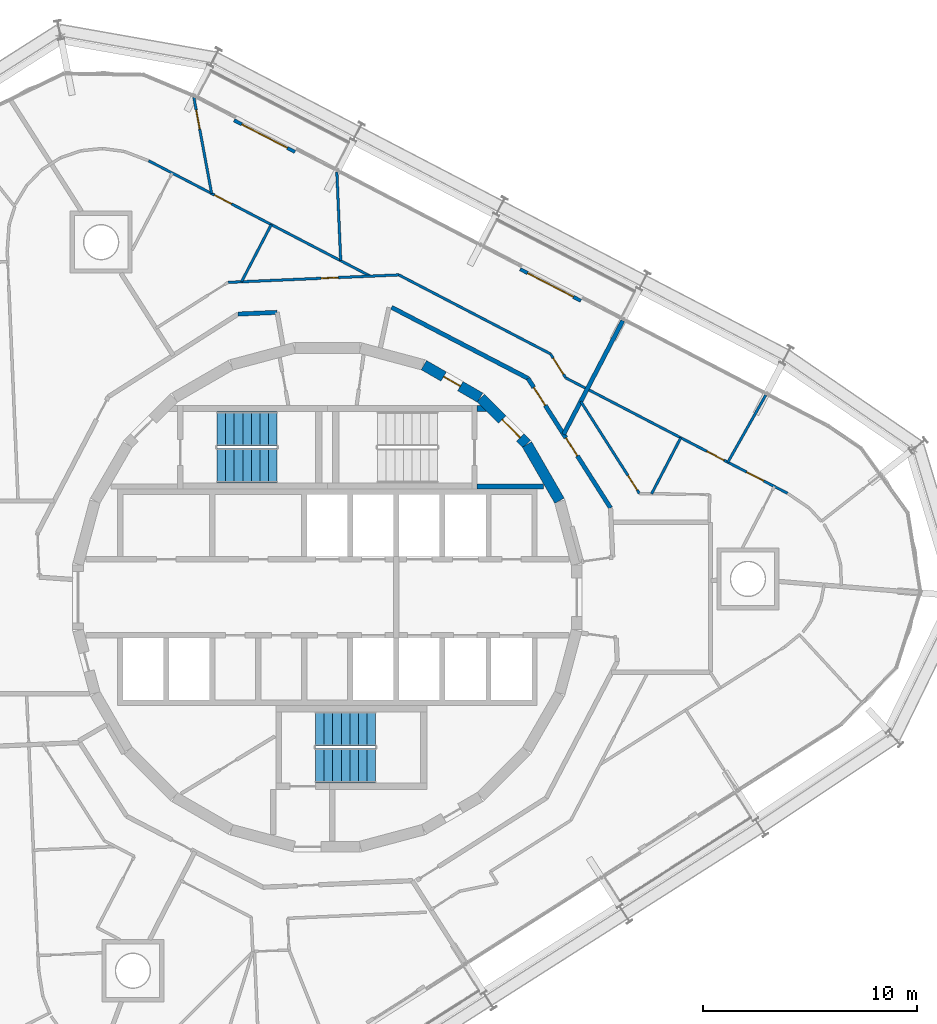
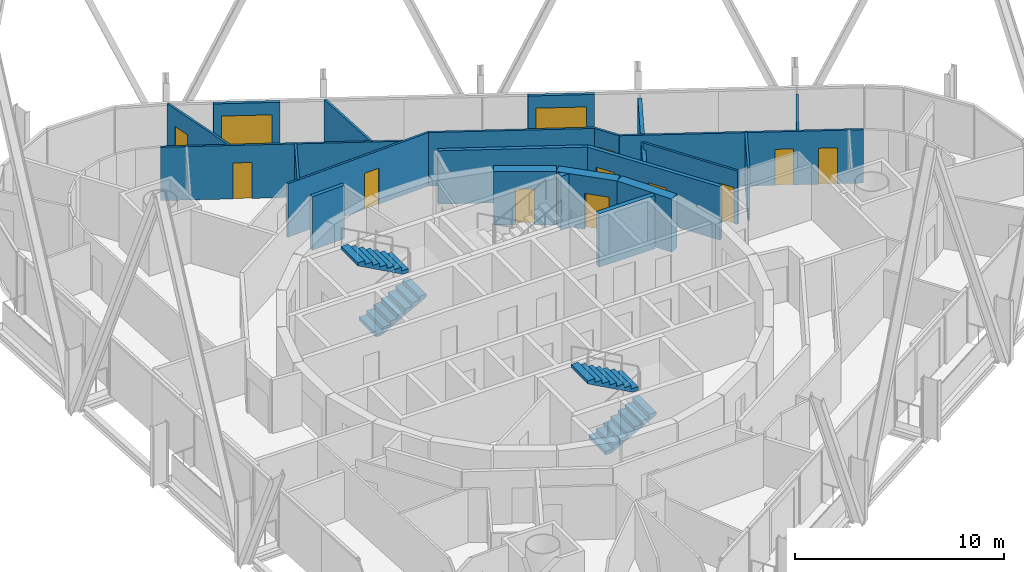
# One storey, part 16 of 18: 22 walls, 13 doors, 4 stair flights, 13 openings, 2 elements without a shape of their own.
"""IFC4 building model written with IfcOpenShell, lengths in metres."""

import ifcopenshell
import ifcopenshell.guid

model = None  # the IFC model being written
_history = None  # IfcOwnerHistory: only IFC2X3 demands one
_inside = {}  # id of a spatial element -> (the spatial element, [elements in it])
_under = {}  # id of a project, library or spatial element -> (it, [spatial elements below it])
_declared = {}  # id of a project -> (the project, [libraries it declares])
_typed = {}  # id of a type object -> (the type object, [elements of that type])
_made_of = {}  # id of a material, layer set ... -> (it, [elements and type objects made of it])


def new_model(schema):
    """Start an empty IFC model of exactly this schema.

    Asked for "IFC4X3", IfcOpenShell would pick the latest addendum, in which some entities
    have other attributes; the version numbers below select the first issue.
    IFC2X3 requires an IfcOwnerHistory on every rooted entity: one is made here for all.
    """
    global model, _history
    if schema == "IFC4X3":
        model = ifcopenshell.file(schema_version=(4, 3, 0, 0))
    else:
        model = ifcopenshell.file(schema=schema)
    _inside.clear()
    _under.clear()
    _declared.clear()
    _typed.clear()
    _made_of.clear()
    _history = None
    if model.schema == "IFC2X3":
        org = make("IfcOrganization", Name="unknown")
        user = make(
            "IfcPersonAndOrganization",
            ThePerson=make("IfcPerson", FamilyName="unknown"),
            TheOrganization=org,
        )
        app = make(
            "IfcApplication",
            ApplicationDeveloper=org,
            Version="unknown",
            ApplicationFullName="unknown",
            ApplicationIdentifier="unknown",
        )
        _history = make(
            "IfcOwnerHistory",
            OwningUser=user,
            OwningApplication=app,
            ChangeAction="ADDED",
            CreationDate=0,
        )
    return model


def make(cls, **values):
    """One entity of the class cls with the attributes given. An attribute that is None is left unset."""
    return model.create_entity(
        cls, **{name: value for name, value in values.items() if value is not None}
    )


def rooted(cls, **values):
    """An entity with a GlobalId (a new one), such as an element, a storey or a relation."""
    return make(cls, GlobalId=ifcopenshell.guid.new(), OwnerHistory=_history, **values)


def si_unit(unit_type, name, prefix=None):
    """IfcSIUnit, for example si_unit("LENGTHUNIT", "METRE", prefix="MILLI")."""
    return make("IfcSIUnit", UnitType=unit_type, Prefix=prefix, Name=name)


def assignment(units):
    """IfcUnitAssignment: the units of a project."""
    return None if units is None else make("IfcUnitAssignment", Units=units)


def point(xyz):
    """IfcCartesianPoint."""
    return None if xyz is None else make("IfcCartesianPoint", Coordinates=xyz)


def direction(xyz):
    """IfcDirection."""
    return None if xyz is None else make("IfcDirection", DirectionRatios=xyz)


def frame(location, z_axis=None, x_axis=None):
    """IfcAxis2Placement3D, a coordinate frame: its origin and axes. An axis left out is left unset."""
    return make(
        "IfcAxis2Placement3D",
        Location=point(location),
        Axis=direction(z_axis),
        RefDirection=direction(x_axis),
    )


def frame_2d(location, x_axis=None):
    """IfcAxis2Placement2D, a coordinate frame in the plane: its origin and x axis."""
    return make(
        "IfcAxis2Placement2D", Location=point(location), RefDirection=direction(x_axis)
    )


def origin():
    """The frame at (0, 0, 0) with its axes left unset."""
    return frame((0.0, 0.0, 0.0))


def place(relative_to, where):
    """IfcLocalPlacement: puts the frame where relative to a parent placement (None: the world)."""
    return make(
        "IfcLocalPlacement", PlacementRelTo=relative_to, RelativePlacement=where
    )


def context(
    kind, dimensions, precision=None, world=None, true_north=None, identifier=None
):
    """IfcGeometricRepresentationContext, for example the 3D "Model" context."""
    return make(
        "IfcGeometricRepresentationContext",
        ContextIdentifier=identifier,
        ContextType=kind,
        CoordinateSpaceDimension=dimensions,
        Precision=precision,
        WorldCoordinateSystem=world,
        TrueNorth=true_north,
    )


def subcontext(parent, identifier, kind, view, scale=None):
    """IfcGeometricRepresentationSubContext, for example "Body" below "Model"."""
    return make(
        "IfcGeometricRepresentationSubContext",
        ContextIdentifier=identifier,
        ContextType=kind,
        ParentContext=parent,
        TargetScale=scale,
        TargetView=view,
    )


def project(units=None, contexts=None):
    """IfcProject with its units and contexts."""
    return rooted(
        "IfcProject",
        Name="project",
        RepresentationContexts=contexts,
        UnitsInContext=assignment(units),
    )


def spatial(cls, under=None, at=None, **own):
    """A site, building, storey or space (cls), placed at a placement, below another one or the project."""
    s = rooted(cls, ObjectPlacement=at, **own)
    if under is not None:
        _under.setdefault(under.id(), (under, []))[1].append(s)
    return s


def polyline(points):
    """IfcPolyline through the points."""
    return make("IfcPolyline", Points=[point(p) for p in points])


def profile(cls, at=None, kind="AREA", **sizes):
    """A parametric profile (cls). Its sizes go by their IFC names, for example OverallWidth=200.0."""
    return make(cls, ProfileType=kind, Position=at, **sizes)


def rectangle(**sizes):
    """IfcRectangleProfileDef."""
    return profile("IfcRectangleProfileDef", **sizes)


def outline(outer, holes=None, kind="AREA"):
    """IfcArbitraryClosedProfileDef: a profile drawn as a closed curve; with holes, ...WithVoids."""
    if holes is None:
        return make("IfcArbitraryClosedProfileDef", ProfileType=kind, OuterCurve=outer)
    return make(
        "IfcArbitraryProfileDefWithVoids",
        ProfileType=kind,
        OuterCurve=outer,
        InnerCurves=holes,
    )


def extrude(swept, where, along, depth):
    """IfcExtrudedAreaSolid: the profile swept, set in the frame where, extruded along a direction by depth."""
    return make(
        "IfcExtrudedAreaSolid",
        SweptArea=swept,
        Position=where,
        ExtrudedDirection=direction(along),
        Depth=depth,
    )


def shape(context_of_items, identifier, shape_type, items):
    """IfcShapeRepresentation: the items that make up one representation, for example the "Body"."""
    return make(
        "IfcShapeRepresentation",
        ContextOfItems=context_of_items,
        RepresentationIdentifier=identifier,
        RepresentationType=shape_type,
        Items=items,
    )


def material(Name=None, Category=None):
    """IfcMaterial."""
    return make("IfcMaterial", Name=Name, Category=Category)


def layer(
    of_material, thickness, ventilated=None, Name=None, Category=None, Priority=None
):
    """IfcMaterialLayer: one layer of a wall or slab, of a material (None: an air gap)."""
    return make(
        "IfcMaterialLayer",
        Material=of_material,
        LayerThickness=thickness,
        IsVentilated=ventilated,
        Name=Name,
        Category=Category,
        Priority=Priority,
    )


def layer_set(layers, Name=None):
    """IfcMaterialLayerSet."""
    return make("IfcMaterialLayerSet", MaterialLayers=layers, LayerSetName=Name)


def made_of(thing, what):
    """Note that an element or type object is made of a material, layer set ...; save() writes the relation."""
    if what is not None:
        _made_of.setdefault(what.id(), (what, []))[1].append(thing)
    return thing


def type_object(cls, material=None, **own):
    """A type object (cls), such as IfcWallType, which elements share."""
    return made_of(rooted(cls, **own), material)


def element(
    cls,
    number,
    at=None,
    inside=None,
    cuts=None,
    type_object=None,
    material=None,
    context=None,
    identifier="Body",
    shape_type=None,
    held_by="IfcProductDefinitionShape",
    body=None,
    shapes=None,
    **own,
):
    """One element of the class cls, such as IfcWall. Its Tag is "e" and its number.

    at: its placement. inside: the storey or other place that contains it. cuts: it is an
    opening in that element (IfcRelVoidsElement). A single representation is given by context,
    identifier, shape_type and body (its items); several are given by shapes. held_by: the class
    of the entity that holds the representations. save() writes the other relations.
    """
    e = rooted(cls, Tag="e%d" % number, ObjectPlacement=at, **own)
    if body is not None:
        shapes = [shape(context, identifier, shape_type, body)]
    if shapes is not None:
        e.Representation = make(held_by, Representations=shapes)
    if inside is not None:
        _inside.setdefault(inside.id(), (inside, []))[1].append(e)
    if cuts is not None:
        rooted(
            "IfcRelVoidsElement", RelatingBuildingElement=cuts, RelatedOpeningElement=e
        )
    if type_object is not None:
        _typed.setdefault(type_object.id(), (type_object, []))[1].append(e)
    return made_of(e, material)


def fill(opening, filler):
    """IfcRelFillsElement: the door or window that sits in an opening."""
    return rooted(
        "IfcRelFillsElement",
        RelatingOpeningElement=opening,
        RelatedBuildingElement=filler,
    )


def aggregate(whole, parts):
    """IfcRelAggregates: a whole, such as a stair, and the parts it consists of."""
    return rooted("IfcRelAggregates", RelatingObject=whole, RelatedObjects=parts)


def save(model, path):
    """Write the relations noted so far, then the file.

    IfcRelAggregates (storeys below a building ...), IfcRelContainedInSpatialStructure (elements
    in a storey), IfcRelDefinesByType, IfcRelAssociatesMaterial and IfcRelDeclares: one each for
    every whole, place, type object, material and project.
    """
    for whole, parts in _under.values():
        aggregate(whole, parts)
    for where, things in _inside.values():
        rooted(
            "IfcRelContainedInSpatialStructure",
            RelatedElements=things,
            RelatingStructure=where,
        )
    for kind, things in _typed.values():
        rooted("IfcRelDefinesByType", RelatedObjects=things, RelatingType=kind)
    for what, things in _made_of.values():
        rooted("IfcRelAssociatesMaterial", RelatedObjects=things, RelatingMaterial=what)
    for by, libraries in _declared.values():
        rooted("IfcRelDeclares", RelatingContext=by, RelatedDefinitions=libraries)
    model.write(path)


model = new_model("IFC4")

# Units and contexts
model_context = context("Model", 3, precision=1e-05, world=origin(), true_north=direction((0.0, 1.0)))
body_context = subcontext(model_context, "Body", "Model", "MODEL_VIEW")
ifc_project = project(units=[si_unit("LENGTHUNIT", "METRE"), si_unit("AREAUNIT", "SQUARE_METRE"), si_unit("VOLUMEUNIT", "CUBIC_METRE"), si_unit("PLANEANGLEUNIT", "RADIAN"), si_unit("MASSUNIT", "GRAM", prefix="KILO")], contexts=[model_context])

# Site, building, storey
site_placement = place(None, origin())
site = spatial("IfcSite", under=ifc_project, at=site_placement, CompositionType="ELEMENT")
building_placement = place(site_placement, origin())
building = spatial("IfcBuilding", under=site, at=building_placement, Name="Spindle Arch Residences", CompositionType="ELEMENT")
storey_placement = place(building_placement, frame((0.0, 0.0, 240.699951171875)))
storey = spatial("IfcBuildingStorey", under=building, at=storey_placement, Name="L61", CompositionType="ELEMENT", Elevation=240.699951171875)

# Wall
ifc_material_1 = material(Name="Concrete C50/60", Category="concrete")
ifc_layer_1 = layer(ifc_material_1, 0.5)
ifc_layer_set_1 = layer_set([ifc_layer_1], Name="Core outline wall 500")
wall_type_1 = type_object("IfcWallType", Name="Core outline wall 500", PredefinedType="SHEAR", material=ifc_layer_set_1)
wall_1_placement = place(storey_placement, frame((10.84521484375, 4.510498046875, 0.0), z_axis=(0.0, 0.0, 1.0), x_axis=(-0.500087131594, 0.865975092491, 0.0)))
element("IfcWall", 1, at=wall_1_placement, inside=storey, type_object=wall_type_1, Name="Core outline wall 8", PredefinedType="SHEAR", context=body_context, shape_type="SweptSolid", body=[
    extrude(rectangle(XDim=3.03271484375, YDim=0.5, at=frame_2d((1.516357421875, 0.0))), origin(), (0.0, 0.0, 1.0), 3.1201171875),
])

# Wall, opening, door
wall_2_placement = place(storey_placement, frame((9.30810546875, 7.163818359375, 0.0), z_axis=(0.0, 0.0, 1.0), x_axis=(-0.707106781187, 0.707106781187, 0.0)))
wall_2 = element("IfcWall", 2, at=wall_2_placement, inside=storey, type_object=wall_type_1, Name="Core outline wall 9", PredefinedType="SHEAR", context=body_context, shape_type="SweptSolid", body=[
    extrude(rectangle(XDim=3.032470703125, YDim=0.5, at=frame_2d((1.51611328125, 0.0))), origin(), (0.0, 0.0, 1.0), 3.1201171875),
])
opening_1_placement = place(wall_2_placement, frame((0.416259765625, 0.0, 0.0)))
opening_1 = element("IfcOpeningElement", 3, at=opening_1_placement, cuts=wall_2, Name="Opening R6B0-AD01", PredefinedType="OPENING", context=body_context, shape_type="SweptSolid", body=[
    extrude(rectangle(XDim=1.199951171875, YDim=2.10009765625, at=frame_2d((0.60009765625, 1.050048828125))), frame((0.0, 0.260009765625, 0.0), z_axis=(0.0, -1.0, 0.0), x_axis=(1.0, 0.0, 0.0)), (0.0, 0.0, 1.0), 0.52001953125),
])
ifc_material_2 = material(Name="Steel, fire-resisting door", Category="steel")
door_type_1 = type_object("IfcDoorType", Name="Stair airlock door 1200x2100", OperationType="SINGLE_SWING_LEFT", PredefinedType="DOOR", material=ifc_material_2)
door_1_placement = place(opening_1_placement, origin())
door_1 = element("IfcDoor", 4, at=door_1_placement, inside=storey, type_object=door_type_1, Name="Stair airlock door R6B0-AD01", OperationType="SINGLE_SWING_RIGHT", OverallHeight=2.10009765625, OverallWidth=1.199951171875, PredefinedType="DOOR", context=body_context, shape_type="SweptSolid", body=[
    extrude(rectangle(XDim=1.199951171875, YDim=2.10009765625, at=frame_2d((0.60009765625, 1.050048828125))), frame((0.0, 0.02490234375, 0.0), z_axis=(0.0, -1.0, 0.0), x_axis=(1.0, 0.0, 0.0)), (0.0, 0.0, 1.0), 0.050048828125),
])
fill(opening_1, door_1)

wall_3_placement = place(storey_placement, frame((7.13671875, 9.32861328125, 0.0), z_axis=(0.0, 0.0, 1.0), x_axis=(-0.865975092491, 0.500087131594, 0.0)))
wall_3 = element("IfcWall", 5, at=wall_3_placement, inside=storey, type_object=wall_type_1, Name="Core outline wall 10", PredefinedType="SHEAR", context=body_context, shape_type="SweptSolid", body=[
    extrude(rectangle(XDim=3.03271484375, YDim=0.5, at=frame_2d((1.516357421875, 0.0))), origin(), (0.0, 0.0, 1.0), 3.1201171875),
])
opening_2_placement = place(wall_3_placement, frame((1.06640625, 0.0, 0.0)))
opening_2 = element("IfcOpeningElement", 6, at=opening_2_placement, cuts=wall_3, Name="Opening R6B0-WD12", PredefinedType="OPENING", context=body_context, shape_type="SweptSolid", body=[
    extrude(rectangle(XDim=0.89990234375, YDim=2.10009765625, at=frame_2d((0.449951171875, 1.050048828125))), frame((0.0, 0.260009765625, 0.0), z_axis=(0.0, -1.0, 0.0), x_axis=(1.0, 0.0, 0.0)), (0.0, 0.0, 1.0), 0.52001953125),
])
ifc_material_3 = material(Name="Steel, fire-resisting door", Category="steel")
door_type_2 = type_object("IfcDoorType", Name="Service room door 900x2100", OperationType="SINGLE_SWING_LEFT", PredefinedType="DOOR", material=ifc_material_3)
door_2_placement = place(opening_2_placement, origin())
door_2 = element("IfcDoor", 7, at=door_2_placement, inside=storey, type_object=door_type_2, Name="Service room door R6B0-WD12", OperationType="SINGLE_SWING_RIGHT", OverallHeight=2.10009765625, OverallWidth=0.89990234375, PredefinedType="DOOR", context=body_context, shape_type="SweptSolid", body=[
    extrude(rectangle(XDim=0.89990234375, YDim=2.10009765625, at=frame_2d((0.449951171875, 1.050048828125))), frame((0.0, 0.02490234375, 0.0), z_axis=(0.0, -1.0, 0.0), x_axis=(1.0, 0.0, 0.0)), (0.0, 0.0, 1.0), 0.050048828125),
])
fill(opening_2, door_2)

# Wall, openings, doors
ifc_material_4 = material(Name="Calcium silicate block, plastered")
ifc_layer_2 = layer(ifc_material_4, 0.199951171875)
ifc_layer_set_2 = layer_set([ifc_layer_2], Name="Corridor wall 200")
wall_type_2 = type_object("IfcWallType", Name="Corridor wall 200", PredefinedType="STANDARD", material=ifc_layer_set_2)
wall_4_placement = place(storey_placement, frame((13.230712890625, 4.171630859375, 0.0), z_axis=(0.0, 0.0, 1.0), x_axis=(-0.537304397561, 0.843388394728, 0.0)))
wall_4 = element("IfcWall", 8, at=wall_4_placement, inside=storey, type_object=wall_type_2, Name="Corridor wall R6B0-W004", PredefinedType="STANDARD", context=body_context, shape_type="SweptSolid", body=[
    extrude(rectangle(XDim=7.180908203125, YDim=0.199951171875, at=frame_2d((3.59033203125, 0.0))), origin(), (0.0, 0.0, 1.0), 3.1201171875),
])
opening_3_placement = place(wall_4_placement, frame((2.881103515625, 0.0, 0.0)))
opening_3 = element("IfcOpeningElement", 9, at=opening_3_placement, cuts=wall_4, Name="Opening R6B0-FD01", PredefinedType="OPENING", context=body_context, shape_type="SweptSolid", body=[
    extrude(rectangle(XDim=1.0, YDim=2.10009765625, at=frame_2d((0.5, 1.050048828125))), frame((0.0, 0.10986328125, 0.0), z_axis=(0.0, -1.0, 0.0), x_axis=(1.0, 0.0, 0.0)), (0.0, 0.0, 1.0), 0.219970703125),
])
opening_4_placement = place(wall_4_placement, frame((5.68115234375, 0.0, 0.0)))
opening_4 = element("IfcOpeningElement", 10, at=opening_4_placement, cuts=wall_4, Name="Opening R6B0-FD02", PredefinedType="OPENING", context=body_context, shape_type="SweptSolid", body=[
    extrude(rectangle(XDim=1.0, YDim=2.10009765625, at=frame_2d((0.5, 1.050048828125))), frame((0.0, 0.10986328125, 0.0), z_axis=(0.0, -1.0, 0.0), x_axis=(1.0, 0.0, 0.0)), (0.0, 0.0, 1.0), 0.219970703125),
])
ifc_material_5 = material(Name="Timber, fire-resisting door set", Category="wood")
door_type_3 = type_object("IfcDoorType", Name="Flat entrance door 1000x2100", OperationType="NOTDEFINED", PredefinedType="DOOR", material=ifc_material_5)
door_3_placement = place(opening_3_placement, origin())
door_3 = element("IfcDoor", 11, at=door_3_placement, inside=storey, type_object=door_type_3, Name="Flat entrance door R6B0-FD01", OperationType="SINGLE_SWING_LEFT", OverallHeight=2.10009765625, OverallWidth=1.0, PredefinedType="DOOR", context=body_context, shape_type="SweptSolid", body=[
    extrude(rectangle(XDim=1.0, YDim=2.10009765625, at=frame_2d((0.5, 1.050048828125))), frame((0.0, 0.02490234375, 0.0), z_axis=(0.0, -1.0, 0.0), x_axis=(1.0, 0.0, 0.0)), (0.0, 0.0, 1.0), 0.050048828125),
])
fill(opening_3, door_3)
door_4_placement = place(opening_4_placement, origin())
door_4 = element("IfcDoor", 12, at=door_4_placement, inside=storey, type_object=door_type_3, Name="Flat entrance door R6B0-FD02", OperationType="SINGLE_SWING_LEFT", OverallHeight=2.10009765625, OverallWidth=1.0, PredefinedType="DOOR", context=body_context, shape_type="SweptSolid", body=[
    extrude(rectangle(XDim=1.0, YDim=2.10009765625, at=frame_2d((0.5, 1.050048828125))), frame((0.0, 0.02490234375, 0.0), z_axis=(0.0, -1.0, 0.0), x_axis=(1.0, 0.0, 0.0)), (0.0, 0.0, 1.0), 0.050048828125),
])
fill(opening_4, door_4)

# Walls
wall_5_placement = place(storey_placement, frame((9.372314453125, 10.22802734375, 0.0), z_axis=(0.0, 0.0, 1.0), x_axis=(-0.887005184532, 0.461759464021, 0.0)))
element("IfcWall", 13, at=wall_5_placement, inside=storey, type_object=wall_type_2, Name="Corridor wall R6B0-W005", PredefinedType="STANDARD", context=body_context, shape_type="SweptSolid", body=[
    extrude(rectangle(XDim=7.18115234375, YDim=0.199951171875, at=frame_2d((3.590576171875, 0.0))), origin(), (0.0, 0.0, 1.0), 3.1201171875),
])
wall_6_placement = place(storey_placement, frame((-2.346923828125, 13.310302734375, 0.0), z_axis=(0.0, 0.0, 1.0), x_axis=(-0.999050095671, -0.043576442492, 0.0)))
element("IfcWall", 14, at=wall_6_placement, inside=storey, type_object=wall_type_2, Name="Corridor wall R6B0-W011", PredefinedType="STANDARD", context=body_context, shape_type="SweptSolid", body=[
    extrude(rectangle(XDim=1.826416015625, YDim=0.199951171875, at=frame_2d((0.9130859375, 0.0))), origin(), (0.0, 0.0, 1.0), 3.1201171875),
])

# Wall, opening, door
ifc_material_6 = material(Name="Plasterboard on steel studs", Category="steel")
ifc_layer_3 = layer(ifc_material_6, 0.1201171875)
ifc_layer_set_3 = layer_set([ifc_layer_3], Name="Flat partition 120")
wall_type_3 = type_object("IfcWallType", Name="Flat partition 120", PredefinedType="PARTITIONING", material=ifc_layer_set_3)
wall_7_placement = place(storey_placement, frame((14.580078125, 4.844970703125, 0.0), z_axis=(0.0, 0.0, 1.0), x_axis=(-0.537283960997, 0.84340141407, 0.0)))
wall_7 = element("IfcWall", 15, at=wall_7_placement, inside=storey, type_object=wall_type_3, Name="Flat partition R6B0-W040", PredefinedType="PARTITIONING", context=body_context, shape_type="SweptSolid", body=[
    extrude(rectangle(XDim=5.104248046875, YDim=0.1201171875, at=frame_2d((2.55224609375, 0.0))), origin(), (0.0, 0.0, 1.0), 3.1201171875),
])
opening_5_placement = place(wall_7_placement, frame((0.199951171875, 0.0, 0.0)))
opening_5 = element("IfcOpeningElement", 16, at=opening_5_placement, cuts=wall_7, Name="Opening R6B0-BD01", PredefinedType="OPENING", context=body_context, shape_type="SweptSolid", body=[
    extrude(rectangle(XDim=0.800048828125, YDim=2.10009765625, at=frame_2d((0.39990234375, 1.050048828125))), frame((0.0, 0.070068359375, 0.0), z_axis=(0.0, -1.0, 0.0), x_axis=(1.0, 0.0, 0.0)), (0.0, 0.0, 1.0), 0.14013671875),
])
ifc_material_7 = material(Name="Timber door set", Category="wood")
door_type_4 = type_object("IfcDoorType", Name="Bathroom door 800x2100", OperationType="NOTDEFINED", PredefinedType="DOOR", material=ifc_material_7)
door_5_placement = place(opening_5_placement, origin())
door_5 = element("IfcDoor", 17, at=door_5_placement, inside=storey, type_object=door_type_4, Name="Bathroom door R6B0-BD01", OperationType="SINGLE_SWING_LEFT", OverallHeight=2.10009765625, OverallWidth=0.800048828125, PredefinedType="DOOR", context=body_context, shape_type="SweptSolid", body=[
    extrude(rectangle(XDim=0.800048828125, YDim=2.10009765625, at=frame_2d((0.39990234375, 1.050048828125))), frame((0.0, 0.02490234375, 0.0), z_axis=(0.0, -1.0, 0.0), x_axis=(1.0, 0.0, 0.0)), (0.0, 0.0, 1.0), 0.050048828125),
])
fill(opening_5, door_5)

# Wall, openings, doors
wall_8_placement = place(storey_placement, frame((21.495849609375, 4.857666015625, 0.0), z_axis=(0.0, 0.0, 1.0), x_axis=(-0.887020940825, 0.461729196107, 0.0)))
wall_8 = element("IfcWall", 18, at=wall_8_placement, inside=storey, type_object=wall_type_3, Name="Flat partition R6B0-W048", PredefinedType="PARTITIONING", context=body_context, shape_type="SweptSolid", body=[
    extrude(rectangle(XDim=11.678466796875, YDim=0.1201171875, at=frame_2d((5.83935546875, 0.0))), origin(), (0.0, 0.0, 1.0), 3.1201171875),
])
opening_6_placement = place(wall_8_placement, frame((1.25146484375, 0.0, 0.0)))
opening_6 = element("IfcOpeningElement", 19, at=opening_6_placement, cuts=wall_8, Name="Opening R6B0-ID03", PredefinedType="OPENING", context=body_context, shape_type="SweptSolid", body=[
    extrude(rectangle(XDim=0.89990234375, YDim=2.10009765625, at=frame_2d((0.449951171875, 1.050048828125))), frame((0.0, 0.070068359375, 0.0), z_axis=(0.0, -1.0, 0.0), x_axis=(1.0, 0.0, 0.0)), (0.0, 0.0, 1.0), 0.14013671875),
])
opening_7_placement = place(wall_8_placement, frame((3.341064453125, 0.0, 0.0)))
opening_7 = element("IfcOpeningElement", 20, at=opening_7_placement, cuts=wall_8, Name="Opening R6B0-ID04", PredefinedType="OPENING", context=body_context, shape_type="SweptSolid", body=[
    extrude(rectangle(XDim=0.89990234375, YDim=2.10009765625, at=frame_2d((0.449951171875, 1.050048828125))), frame((0.0, 0.070068359375, 0.0), z_axis=(0.0, -1.0, 0.0), x_axis=(1.0, 0.0, 0.0)), (0.0, 0.0, 1.0), 0.14013671875),
])
ifc_material_8 = material(Name="Timber door set", Category="wood")
door_type_5 = type_object("IfcDoorType", Name="Room door 900x2100", OperationType="NOTDEFINED", PredefinedType="DOOR", material=ifc_material_8)
door_6_placement = place(opening_6_placement, origin())
door_6 = element("IfcDoor", 21, at=door_6_placement, inside=storey, type_object=door_type_5, Name="Room door R6B0-ID03", OperationType="SINGLE_SWING_LEFT", OverallHeight=2.10009765625, OverallWidth=0.89990234375, PredefinedType="DOOR", context=body_context, shape_type="SweptSolid", body=[
    extrude(rectangle(XDim=0.89990234375, YDim=2.10009765625, at=frame_2d((0.449951171875, 1.050048828125))), frame((0.0, 0.02490234375, 0.0), z_axis=(0.0, -1.0, 0.0), x_axis=(1.0, 0.0, 0.0)), (0.0, 0.0, 1.0), 0.050048828125),
])
fill(opening_6, door_6)
door_7_placement = place(opening_7_placement, origin())
door_7 = element("IfcDoor", 22, at=door_7_placement, inside=storey, type_object=door_type_5, Name="Room door R6B0-ID04", OperationType="SINGLE_SWING_LEFT", OverallHeight=2.10009765625, OverallWidth=0.89990234375, PredefinedType="DOOR", context=body_context, shape_type="SweptSolid", body=[
    extrude(rectangle(XDim=0.89990234375, YDim=2.10009765625, at=frame_2d((0.449951171875, 1.050048828125))), frame((0.0, 0.02490234375, 0.0), z_axis=(0.0, -1.0, 0.0), x_axis=(1.0, 0.0, 0.0)), (0.0, 0.0, 1.0), 0.050048828125),
])
fill(opening_7, door_7)

# Wall
wall_9_placement = place(storey_placement, frame((16.510498046875, 7.45263671875, 0.0), z_axis=(0.0, 0.0, 1.0), x_axis=(-0.461756693023, -0.88700662706, 0.0)))
element("IfcWall", 23, at=wall_9_placement, inside=storey, type_object=wall_type_3, Name="Flat partition R6B0-W049", PredefinedType="PARTITIONING", context=body_context, shape_type="SweptSolid", body=[
    extrude(rectangle(XDim=2.94921875, YDim=0.1201171875, at=frame_2d((1.474609375, 0.0))), origin(), (0.0, 0.0, 1.0), 3.1201171875),
])

# Wall, opening, door
wall_10_placement = place(storey_placement, frame((11.13671875, 10.25, 0.0), z_axis=(0.0, 0.0, 1.0), x_axis=(-0.537231369635, 0.843434914786, 0.0)))
wall_10 = element("IfcWall", 24, at=wall_10_placement, inside=storey, type_object=wall_type_3, Name="Flat partition R6B0-W051", PredefinedType="PARTITIONING", context=body_context, shape_type="SweptSolid", body=[
    extrude(rectangle(XDim=1.33154296875, YDim=0.1201171875, at=frame_2d((0.665771484375, 0.0))), origin(), (0.0, 0.0, 1.0), 3.1201171875),
])
opening_8_placement = place(wall_10_placement, frame((0.199951171875, 0.0, 0.0)))
opening_8 = element("IfcOpeningElement", 25, at=opening_8_placement, cuts=wall_10, Name="Opening R6B0-ID06", PredefinedType="OPENING", context=body_context, shape_type="SweptSolid", body=[
    extrude(rectangle(XDim=0.89990234375, YDim=2.10009765625, at=frame_2d((0.449951171875, 1.050048828125))), frame((0.0, 0.070068359375, 0.0), z_axis=(0.0, -1.0, 0.0), x_axis=(1.0, 0.0, 0.0)), (0.0, 0.0, 1.0), 0.14013671875),
])
door_8_placement = place(opening_8_placement, origin())
door_8 = element("IfcDoor", 26, at=door_8_placement, inside=storey, type_object=door_type_5, Name="Room door R6B0-ID06", OperationType="SINGLE_SWING_LEFT", OverallHeight=2.10009765625, OverallWidth=0.89990234375, PredefinedType="DOOR", context=body_context, shape_type="SweptSolid", body=[
    extrude(rectangle(XDim=0.89990234375, YDim=2.10009765625, at=frame_2d((0.449951171875, 1.050048828125))), frame((0.0, 0.02490234375, 0.0), z_axis=(0.0, -1.0, 0.0), x_axis=(1.0, 0.0, 0.0)), (0.0, 0.0, 1.0), 0.050048828125),
])
fill(opening_8, door_8)

# Wall
wall_11_placement = place(storey_placement, frame((10.42138671875, 11.373046875, 0.0), z_axis=(0.0, 0.0, 1.0), x_axis=(-0.887012970857, 0.461744506769, 0.0)))
element("IfcWall", 27, at=wall_11_placement, inside=storey, type_object=wall_type_3, Name="Flat partition R6B0-W052", PredefinedType="PARTITIONING", context=body_context, shape_type="SweptSolid", body=[
    extrude(rectangle(XDim=7.98486328125, YDim=0.1201171875, at=frame_2d((3.992431640625, 0.0))), origin(), (0.0, 0.0, 1.0), 3.1201171875),
])

# Wall, opening, door
wall_12_placement = place(storey_placement, frame((3.338623046875, 15.06005859375, 0.0), z_axis=(0.0, 0.0, 1.0), x_axis=(-0.999047716945, -0.043630943905, 0.0)))
wall_12 = element("IfcWall", 28, at=wall_12_placement, inside=storey, type_object=wall_type_3, Name="Flat partition R6B0-W053", PredefinedType="PARTITIONING", context=body_context, shape_type="SweptSolid", body=[
    extrude(rectangle(XDim=7.98486328125, YDim=0.1201171875, at=frame_2d((3.992431640625, 0.0))), origin(), (0.0, 0.0, 1.0), 3.1201171875),
])
opening_9_placement = place(wall_12_placement, frame((2.831298828125, 0.0, 0.0)))
opening_9 = element("IfcOpeningElement", 29, at=opening_9_placement, cuts=wall_12, Name="Opening R6B0-BD02", PredefinedType="OPENING", context=body_context, shape_type="SweptSolid", body=[
    extrude(rectangle(XDim=0.800048828125, YDim=2.10009765625, at=frame_2d((0.39990234375, 1.050048828125))), frame((0.0, 0.070068359375, 0.0), z_axis=(0.0, -1.0, 0.0), x_axis=(1.0, 0.0, 0.0)), (0.0, 0.0, 1.0), 0.14013671875),
])
door_9_placement = place(opening_9_placement, origin())
door_9 = element("IfcDoor", 30, at=door_9_placement, inside=storey, type_object=door_type_4, Name="Bathroom door R6B0-BD02", OperationType="SINGLE_SWING_RIGHT", OverallHeight=2.10009765625, OverallWidth=0.800048828125, PredefinedType="DOOR", context=body_context, shape_type="SweptSolid", body=[
    extrude(rectangle(XDim=0.800048828125, YDim=2.10009765625, at=frame_2d((0.39990234375, 1.050048828125))), frame((0.0, 0.02490234375, 0.0), z_axis=(0.0, -1.0, 0.0), x_axis=(1.0, 0.0, 0.0)), (0.0, 0.0, 1.0), 0.050048828125),
])
fill(opening_9, door_9)

wall_13_placement = place(storey_placement, frame((-8.350341796875, 20.394287109375, 0.0), z_axis=(0.0, 0.0, 1.0), x_axis=(0.887020940825, -0.461729196107, 0.0)))
wall_13 = element("IfcWall", 31, at=wall_13_placement, inside=storey, type_object=wall_type_3, Name="Flat partition R6B0-W055", PredefinedType="PARTITIONING", context=body_context, shape_type="SweptSolid", body=[
    extrude(rectangle(XDim=11.678466796875, YDim=0.1201171875, at=frame_2d((5.83935546875, 0.0))), origin(), (0.0, 0.0, 1.0), 3.1201171875),
])
opening_10_placement = place(wall_13_placement, frame((3.468505859375, 0.0, 0.0)))
opening_10 = element("IfcOpeningElement", 32, at=opening_10_placement, cuts=wall_13, Name="Opening R6B0-ID08", PredefinedType="OPENING", context=body_context, shape_type="SweptSolid", body=[
    extrude(rectangle(XDim=0.89990234375, YDim=2.10009765625, at=frame_2d((0.449951171875, 1.050048828125))), frame((0.0, 0.070068359375, 0.0), z_axis=(0.0, -1.0, 0.0), x_axis=(1.0, 0.0, 0.0)), (0.0, 0.0, 1.0), 0.14013671875),
])
door_10_placement = place(opening_10_placement, origin())
door_10 = element("IfcDoor", 33, at=door_10_placement, inside=storey, type_object=door_type_5, Name="Room door R6B0-ID08", OperationType="SINGLE_SWING_RIGHT", OverallHeight=2.10009765625, OverallWidth=0.89990234375, PredefinedType="DOOR", context=body_context, shape_type="SweptSolid", body=[
    extrude(rectangle(XDim=0.89990234375, YDim=2.10009765625, at=frame_2d((0.449951171875, 1.050048828125))), frame((0.0, 0.02490234375, 0.0), z_axis=(0.0, -1.0, 0.0), x_axis=(1.0, 0.0, 0.0)), (0.0, 0.0, 1.0), 0.050048828125),
])
fill(opening_10, door_10)

# Walls
wall_14_placement = place(storey_placement, frame((0.4423828125, 19.875732421875, 0.0), z_axis=(0.0, 0.0, 1.0), x_axis=(0.043638577658, -0.999047383531, 0.0)))
element("IfcWall", 34, at=wall_14_placement, inside=storey, type_object=wall_type_3, Name="Flat partition R6B0-W056", PredefinedType="PARTITIONING", context=body_context, shape_type="SweptSolid", body=[
    extrude(rectangle(XDim=4.15673828125, YDim=0.1201171875, at=frame_2d((2.078369140625, 0.0))), origin(), (0.0, 0.0, 1.0), 3.1201171875),
])
wall_15_placement = place(storey_placement, frame((-2.619140625, 17.410888671875, 0.0), z_axis=(0.0, 0.0, 1.0), x_axis=(-0.461743141736, -0.887013681439, 0.0)))
element("IfcWall", 35, at=wall_15_placement, inside=storey, type_object=wall_type_3, Name="Flat partition R6B0-W057", PredefinedType="PARTITIONING", context=body_context, shape_type="SweptSolid", body=[
    extrude(rectangle(XDim=3.01220703125, YDim=0.1201171875, at=frame_2d((1.506103515625, 0.0))), origin(), (0.0, 0.0, 1.0), 3.1201171875),
])

# Wall, opening, door
wall_16_placement = place(storey_placement, frame((-6.23681640625, 23.352783203125, 0.0), z_axis=(0.0, 0.0, 1.0), x_axis=(0.181909323114, -0.983315309636, 0.0)))
wall_16 = element("IfcWall", 36, at=wall_16_placement, inside=storey, type_object=wall_type_3, Name="Flat partition R6B0-W058", PredefinedType="PARTITIONING", context=body_context, shape_type="SweptSolid", body=[
    extrude(rectangle(XDim=4.567138671875, YDim=0.1201171875, at=frame_2d((2.28369140625, 0.0))), origin(), (0.0, 0.0, 1.0), 3.1201171875),
])
opening_11_placement = place(wall_16_placement, frame((0.60009765625, 0.0, 0.0)))
opening_11 = element("IfcOpeningElement", 37, at=opening_11_placement, cuts=wall_16, Name="Opening R6B0-ID10", PredefinedType="OPENING", context=body_context, shape_type="SweptSolid", body=[
    extrude(rectangle(XDim=0.89990234375, YDim=2.10009765625, at=frame_2d((0.449951171875, 1.050048828125))), frame((0.0, 0.070068359375, 0.0), z_axis=(0.0, -1.0, 0.0), x_axis=(1.0, 0.0, 0.0)), (0.0, 0.0, 1.0), 0.14013671875),
])
door_11_placement = place(opening_11_placement, origin())
door_11 = element("IfcDoor", 38, at=door_11_placement, inside=storey, type_object=door_type_5, Name="Room door R6B0-ID10", OperationType="SINGLE_SWING_RIGHT", OverallHeight=2.10009765625, OverallWidth=0.89990234375, PredefinedType="DOOR", context=body_context, shape_type="SweptSolid", body=[
    extrude(rectangle(XDim=0.89990234375, YDim=2.10009765625, at=frame_2d((0.449951171875, 1.050048828125))), frame((0.0, 0.02490234375, 0.0), z_axis=(0.0, -1.0, 0.0), x_axis=(1.0, 0.0, 0.0)), (0.0, 0.0, 1.0), 0.050048828125),
])
fill(opening_11, door_11)

# Walls
ifc_material_9 = material(Name="Plasterboard on steel studs", Category="steel")
ifc_layer_4 = layer(ifc_material_9, 0.1201171875)
ifc_layer_set_4 = layer_set([ifc_layer_4], Name="Flat partition 120 under beam 2730")
wall_type_4 = type_object("IfcWallType", Name="Flat partition 120 under beam 2730", PredefinedType="PARTITIONING", material=ifc_layer_set_4)
wall_17_placement = place(storey_placement, frame((20.480224609375, 9.44482421875, 0.0), z_axis=(0.0, 0.0, 1.0), x_axis=(-0.491518927659, -0.870866892098, 0.0)))
element("IfcWall", 39, at=wall_17_placement, inside=storey, type_object=wall_type_4, Name="Flat partition R6B0-W050", PredefinedType="PARTITIONING", context=body_context, shape_type="SweptSolid", body=[
    extrude(rectangle(XDim=3.60205078125, YDim=0.1201171875, at=frame_2d((1.801025390625, 0.0))), origin(), (0.0, 0.0, 1.0), 2.72998046875),
])
ifc_material_10 = material(Name="Calcium silicate block, plastered")
ifc_layer_5 = layer(ifc_material_10, 0.199951171875)
ifc_layer_set_5 = layer_set([ifc_layer_5], Name="Flat party wall 200 under beam 2730")
wall_type_5 = type_object("IfcWallType", Name="Flat party wall 200 under beam 2730", PredefinedType="STANDARD", material=ifc_layer_set_5)
wall_18_placement = place(storey_placement, frame((13.801025390625, 12.921875, 0.0), z_axis=(0.0, 0.0, 1.0), x_axis=(-0.461726485624, -0.887022351733, 0.0)))
element("IfcWall", 40, at=wall_18_placement, inside=storey, type_object=wall_type_5, Name="Flat party wall R6B0-W028", PredefinedType="STANDARD", context=body_context, shape_type="SweptSolid", body=[
    extrude(rectangle(XDim=5.984375, YDim=0.199951171875, at=frame_2d((2.9921875, 0.0))), origin(), (0.0, 0.0, 1.0), 2.72998046875),
])

# Wall, opening, door
ifc_material_11 = material(Name="Non-combustible mineral wool insulated aluminium faced external wall (K0)", Category="aluminium")
ifc_layer_6 = layer(ifc_material_11, 0.159912109375)
ifc_layer_set_6 = layer_set([ifc_layer_6], Name="Insulated external wall panel 160")
wall_type_6 = type_object("IfcWallType", Name="Insulated external wall panel 160", PredefinedType="STANDARD", material=ifc_layer_set_6)
wall_19_placement = place(storey_placement, frame((11.84375, 13.8505859375, 0.0), z_axis=(0.0, 0.0, 1.0), x_axis=(-0.887014349583, 0.461741858221, 0.0)))
wall_19 = element("IfcWall", 41, at=wall_19_placement, inside=storey, type_object=wall_type_6, Name="External wall L61 bay 7", PredefinedType="STANDARD", context=body_context, shape_type="SweptSolid", body=[
    extrude(rectangle(XDim=3.199951171875, YDim=0.159912109375, at=frame_2d((1.60009765625, 0.0))), origin(), (0.0, 0.0, 1.0), 3.1201171875),
])
opening_12_placement = place(wall_19_placement, frame((0.39990234375, 0.0, 0.0)))
opening_12 = element("IfcOpeningElement", 42, at=opening_12_placement, cuts=wall_19, Name="Opening BD07", PredefinedType="OPENING", context=body_context, shape_type="SweptSolid", body=[
    extrude(rectangle(XDim=2.39990234375, YDim=2.39990234375, at=frame_2d((1.199951171875, 1.199951171875))), frame((0.0, 0.08984375, 0.0), z_axis=(0.0, -1.0, 0.0), x_axis=(1.0, 0.0, 0.0)), (0.0, 0.0, 1.0), 0.179931640625),
])
ifc_material_12 = material(Name="Bronze aluminium frame, tinted double glazing", Category="aluminium")
door_type_6 = type_object("IfcDoorType", Name="Sliding glazed balcony door 2400x2400", OperationType="DOUBLE_DOOR_SLIDING", PredefinedType="DOOR", material=ifc_material_12)
door_12_placement = place(opening_12_placement, origin())
door_12 = element("IfcDoor", 43, at=door_12_placement, inside=storey, type_object=door_type_6, Name="Balcony door BD07", OperationType="DOUBLE_DOOR_SLIDING", OverallHeight=2.39990234375, OverallWidth=2.39990234375, PredefinedType="DOOR", context=body_context, shape_type="SweptSolid", body=[
    extrude(rectangle(XDim=2.39990234375, YDim=2.39990234375, at=frame_2d((1.199951171875, 1.199951171875))), frame((0.0, 0.02490234375, 0.0), z_axis=(0.0, -1.0, 0.0), x_axis=(1.0, 0.0, 0.0)), (0.0, 0.0, 1.0), 0.050048828125),
])
fill(opening_12, door_12)

wall_20_placement = place(storey_placement, frame((-1.514892578125, 20.804443359375, 0.0), z_axis=(0.0, 0.0, 1.0), x_axis=(-0.887014349583, 0.461741858221, 0.0)))
wall_20 = element("IfcWall", 44, at=wall_20_placement, inside=storey, type_object=wall_type_6, Name="External wall L61 bay 9", PredefinedType="STANDARD", context=body_context, shape_type="SweptSolid", body=[
    extrude(rectangle(XDim=3.199951171875, YDim=0.159912109375, at=frame_2d((1.60009765625, 0.0))), origin(), (0.0, 0.0, 1.0), 3.1201171875),
])
opening_13_placement = place(wall_20_placement, frame((0.39990234375, 0.0, 0.0)))
opening_13 = element("IfcOpeningElement", 45, at=opening_13_placement, cuts=wall_20, Name="Opening BD09", PredefinedType="OPENING", context=body_context, shape_type="SweptSolid", body=[
    extrude(rectangle(XDim=2.39990234375, YDim=2.39990234375, at=frame_2d((1.199951171875, 1.199951171875))), frame((0.0, 0.08984375, 0.0), z_axis=(0.0, -1.0, 0.0), x_axis=(1.0, 0.0, 0.0)), (0.0, 0.0, 1.0), 0.179931640625),
])
door_13_placement = place(opening_13_placement, origin())
door_13 = element("IfcDoor", 46, at=door_13_placement, inside=storey, type_object=door_type_6, Name="Balcony door BD09", OperationType="DOUBLE_DOOR_SLIDING", OverallHeight=2.39990234375, OverallWidth=2.39990234375, PredefinedType="DOOR", context=body_context, shape_type="SweptSolid", body=[
    extrude(rectangle(XDim=2.39990234375, YDim=2.39990234375, at=frame_2d((1.199951171875, 1.199951171875))), frame((0.0, 0.02490234375, 0.0), z_axis=(0.0, -1.0, 0.0), x_axis=(1.0, 0.0, 0.0)), (0.0, 0.0, 1.0), 0.050048828125),
])
fill(opening_13, door_13)

# Walls
ifc_material_13 = material(Name="Concrete C40/50", Category="concrete")
ifc_layer_7 = layer(ifc_material_13, 0.25)
ifc_layer_set_7 = layer_set([ifc_layer_7], Name="Stair airlock wall 250")
wall_type_7 = type_object("IfcWallType", Name="Stair airlock wall 250", PredefinedType="SHEAR", material=ifc_layer_set_7)
wall_21_placement = place(storey_placement, frame((7.0, 5.175048828125, 0.0), z_axis=(0.0, 0.0, 1.0), x_axis=(1.0, 0.0, 0.0)))
element("IfcWall", 47, at=wall_21_placement, inside=storey, type_object=wall_type_7, Name="Stair ST-1 airlock wall S", PredefinedType="SHEAR", context=body_context, shape_type="SweptSolid", body=[
    extrude(rectangle(XDim=3.10009765625, YDim=0.25, at=frame_2d((1.550048828125, 0.0))), origin(), (0.0, 0.0, 1.0), 3.1201171875),
])
ifc_material_14 = material(Name="Concrete C40/50", Category="concrete")
wall_type_8 = type_object("IfcWallType", Name="Stair airlock wall profile", PredefinedType="SHEAR", material=ifc_material_14)
wall_22_placement = place(storey_placement, origin())
element("IfcWall", 48, at=wall_22_placement, inside=storey, type_object=wall_type_8, Name="Stair ST-1 airlock wall N", PredefinedType="SHEAR", context=body_context, shape_type="SweptSolid", body=[
    extrude(outline(polyline([(7.4482421875, 8.669921875), (7.0, 8.669921875), (7.0, 8.969970703125), (7.148193359375, 8.969970703125), (7.4482421875, 8.669921875)])), origin(), (0.0, 0.0, 1.0), 3.1201171875),
])

# Stair, stair flights
ifc_material_15 = material(Name="Concrete C50/60", Category="concrete")
stair_type = type_object("IfcStairType", Name="Exit stair 16 risers", PredefinedType="HALF_TURN_STAIR", material=ifc_material_15)
stair_1_placement = place(storey_placement, origin())
stair_1 = element("IfcStair", 49, at=stair_1_placement, inside=storey, type_object=stair_type, Name="L61 Exit stair ST2", PredefinedType="HALF_TURN_STAIR")
ifc_material_16 = material(Name="Concrete C50/60", Category="concrete")
stair_flight_type = type_object("IfcStairFlightType", Name="Exit stair flight", PredefinedType="STRAIGHT", material=ifc_material_16)
stair_flight_1_placement = place(storey_placement, frame((-5.14990234375, 6.14990234375, 0.0), z_axis=(0.0, 0.0, 1.0), x_axis=(1.0, 0.0, 0.0)))
stair_flight_1 = element("IfcStairFlight", 50, at=stair_flight_1_placement, type_object=stair_flight_type, Name="ST2 flight 1", NumberOfRisers=8, NumberOfTreads=7, PredefinedType="STRAIGHT", RiserHeight=0.21875, TreadLength=0.4, context=body_context, shape_type="SweptSolid", body=[
    extrude(outline(polyline([(0.0, 0.0), (0.0, 0.21875), (0.39990234375, 0.21875), (0.39990234375, 0.4375), (0.800048828125, 0.4375), (0.800048828125, 0.65625), (1.199951171875, 0.65625), (1.199951171875, 0.875), (1.60009765625, 0.875), (1.60009765625, 1.09375), (2.0, 1.09375), (2.0, 1.3125), (2.39990234375, 1.3125), (2.39990234375, 1.53125), (2.800048828125, 1.53125), (2.800048828125, 1.75), (2.800048828125, 1.3603515625), (0.3125, 0.0), (0.0, 0.0)])), frame((0.0, 0.800048828125, 0.0), z_axis=(0.0, -1.0, 0.0), x_axis=(1.0, 0.0, 0.0)), (0.0, 0.0, 1.0), 1.60009765625),
])
stair_flight_2_placement = place(storey_placement, frame((-2.35009765625, 7.8701171875, 1.75), z_axis=(0.0, 0.0, 1.0), x_axis=(-1.0, 0.0, 0.0)))
stair_flight_2 = element("IfcStairFlight", 51, at=stair_flight_2_placement, type_object=stair_flight_type, Name="ST2 flight 2", NumberOfRisers=8, NumberOfTreads=7, PredefinedType="STRAIGHT", RiserHeight=0.21875, TreadLength=0.4, context=body_context, shape_type="SweptSolid", body=[
    extrude(outline(polyline([(0.0, 0.0), (0.0, 0.21875), (0.39990234375, 0.21875), (0.39990234375, 0.4375), (0.800048828125, 0.4375), (0.800048828125, 0.65625), (1.199951171875, 0.65625), (1.199951171875, 0.875), (1.60009765625, 0.875), (1.60009765625, 1.09375), (2.0, 1.09375), (2.0, 1.3125), (2.39990234375, 1.3125), (2.39990234375, 1.53125), (2.800048828125, 1.53125), (2.800048828125, 1.75), (2.800048828125, 1.3603515625), (0.3125, 0.0), (0.0, 0.0)])), frame((0.0, 0.800048828125, 0.0), z_axis=(0.0, -1.0, 0.0), x_axis=(1.0, 0.0, 0.0)), (0.0, 0.0, 1.0), 1.60009765625),
])
aggregate(stair_1, [stair_flight_1, stair_flight_2])

stair_2_placement = place(storey_placement, origin())
stair_2 = element("IfcStair", 52, at=stair_2_placement, inside=storey, type_object=stair_type, Name="L61 Exit stair ST3", PredefinedType="HALF_TURN_STAIR")
stair_flight_3_placement = place(storey_placement, frame((-0.550048828125, -7.8701171875, 0.0), z_axis=(0.0, 0.0, 1.0), x_axis=(1.0, 0.0, 0.0)))
stair_flight_3 = element("IfcStairFlight", 53, at=stair_flight_3_placement, type_object=stair_flight_type, Name="ST3 flight 1", NumberOfRisers=8, NumberOfTreads=7, PredefinedType="STRAIGHT", RiserHeight=0.21875, TreadLength=0.4, context=body_context, shape_type="SweptSolid", body=[
    extrude(outline(polyline([(0.0, 0.0), (0.0, 0.21875), (0.39990234375, 0.21875), (0.39990234375, 0.4375), (0.800048828125, 0.4375), (0.800048828125, 0.65625), (1.199951171875, 0.65625), (1.199951171875, 0.875), (1.60009765625, 0.875), (1.60009765625, 1.09375), (2.0, 1.09375), (2.0, 1.3125), (2.39990234375, 1.3125), (2.39990234375, 1.53125), (2.800048828125, 1.53125), (2.800048828125, 1.75), (2.800048828125, 1.3603515625), (0.3125, 0.0), (0.0, 0.0)])), frame((0.0, 0.800048828125, 0.0), z_axis=(0.0, -1.0, 0.0), x_axis=(1.0, 0.0, 0.0)), (0.0, 0.0, 1.0), 1.60009765625),
])
stair_flight_4_placement = place(storey_placement, frame((2.25, -6.14990234375, 1.75), z_axis=(0.0, 0.0, 1.0), x_axis=(-1.0, 0.0, 0.0)))
stair_flight_4 = element("IfcStairFlight", 54, at=stair_flight_4_placement, type_object=stair_flight_type, Name="ST3 flight 2", NumberOfRisers=8, NumberOfTreads=7, PredefinedType="STRAIGHT", RiserHeight=0.21875, TreadLength=0.4, context=body_context, shape_type="SweptSolid", body=[
    extrude(outline(polyline([(0.0, 0.0), (0.0, 0.21875), (0.39990234375, 0.21875), (0.39990234375, 0.4375), (0.800048828125, 0.4375), (0.800048828125, 0.65625), (1.199951171875, 0.65625), (1.199951171875, 0.875), (1.60009765625, 0.875), (1.60009765625, 1.09375), (2.0, 1.09375), (2.0, 1.3125), (2.39990234375, 1.3125), (2.39990234375, 1.53125), (2.800048828125, 1.53125), (2.800048828125, 1.75), (2.800048828125, 1.3603515625), (0.3125, 0.0), (0.0, 0.0)])), frame((0.0, 0.800048828125, 0.0), z_axis=(0.0, -1.0, 0.0), x_axis=(1.0, 0.0, 0.0)), (0.0, 0.0, 1.0), 1.60009765625),
])
aggregate(stair_2, [stair_flight_3, stair_flight_4])

save(model, "model.ifc")
